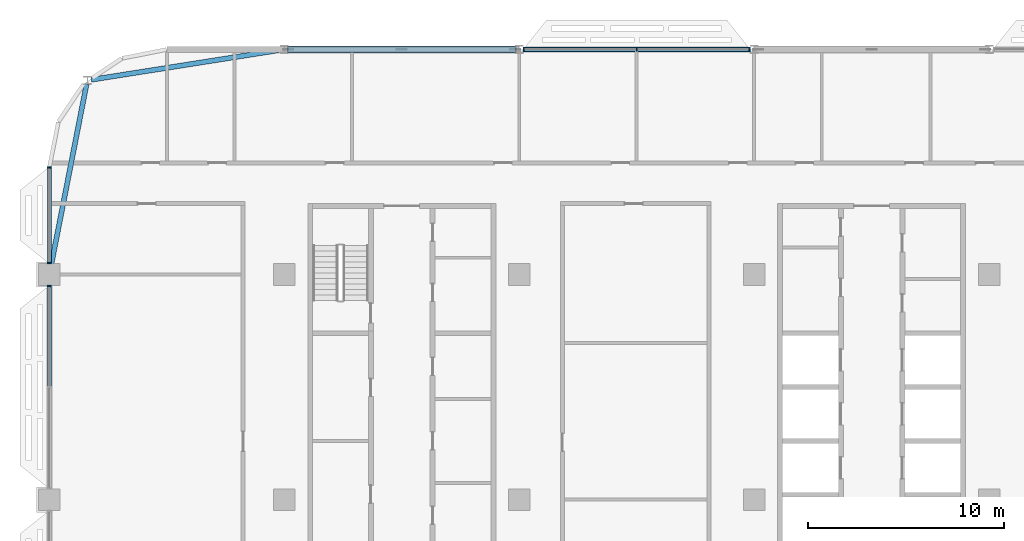
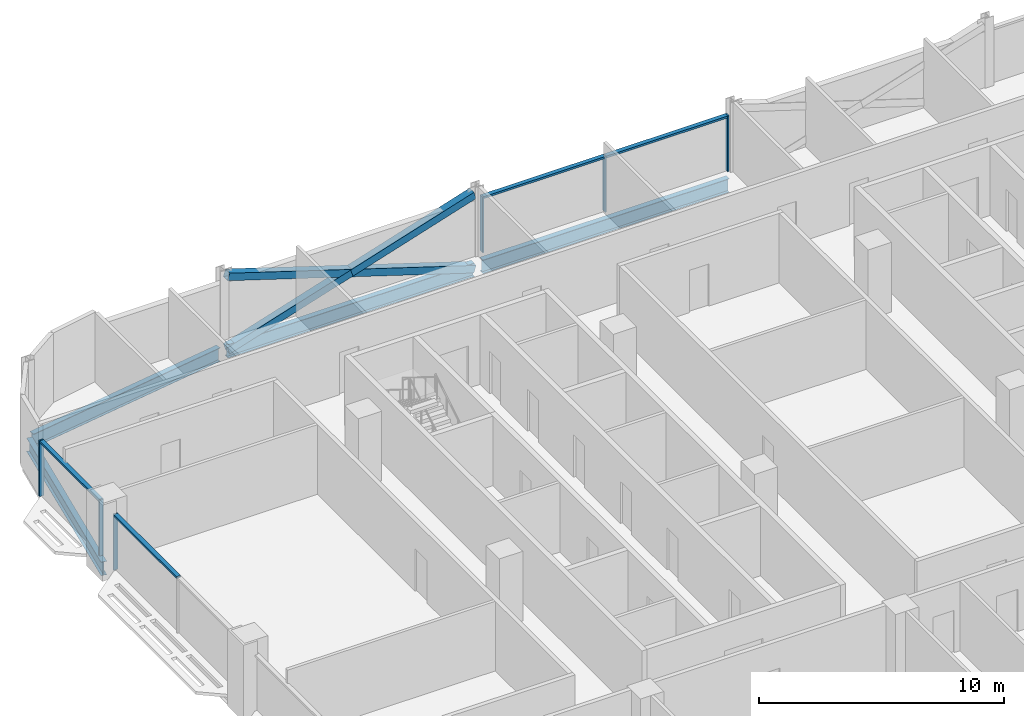
# One storey, part 7 of 30: 13 members, 4 beams, 3 elements without a shape of their own.
"""IFC4 building model written with IfcOpenShell, lengths in metres."""

from ifc_helpers import new_model, si_unit, direction, frame, origin, origin_2d, place, context, subcontext, project, spatial, rectangle, hollow_rectangle, i_section, extrude, material, material_profile, profile_set, type_object, element, aggregate, save


model = new_model("IFC4")

# Units and contexts
model_context = context("Model", 3, precision=1e-05, world=origin(), true_north=direction((0.0, 1.0)))
body_context = subcontext(model_context, "Body", "Model", "MODEL_VIEW")
ifc_project = project(units=[si_unit("LENGTHUNIT", "METRE"), si_unit("AREAUNIT", "SQUARE_METRE"), si_unit("VOLUMEUNIT", "CUBIC_METRE"), si_unit("PLANEANGLEUNIT", "RADIAN"), si_unit("MASSUNIT", "GRAM", prefix="KILO")], contexts=[model_context])

# Site, building, storey
site_placement = place(None, origin())
site = spatial("IfcSite", under=ifc_project, at=site_placement, CompositionType="ELEMENT")
building_placement = place(site_placement, origin())
building = spatial("IfcBuilding", under=site, at=building_placement, Name="Mahtab Terrace Research Tower", CompositionType="ELEMENT")
storey_placement = place(building_placement, frame((0.0, 0.0, 212.89990234375)))
storey = spatial("IfcBuildingStorey", under=building, at=storey_placement, Name="L51", CompositionType="ELEMENT", Elevation=212.89990234375)

# Members
ifc_material_1 = material(Name="Steel ASTM A500 Gr C", Category="steel")
ifc_material_profile_1 = material_profile(ifc_material_1, hollow_rectangle(XDim=0.355712890625, YDim=0.355712890625, WallThickness=0.015869140625, at=origin_2d()), Name="HSS14X14X5/8")
ifc_profile_set_1 = profile_set([ifc_material_profile_1], Name="Steel ASTM A500 Gr C")
member_type_1 = type_object("IfcMemberType", Name="HSS 14x14x5/8 brace XB141458", PredefinedType="BRACE", material=ifc_profile_set_1)
member_1_placement = place(storey_placement, frame((-18.20068359375, 23.0, -0.615478515625), z_axis=(-0.953343380425, 0.0, 0.301888057067), x_axis=(0.0, -1.0, 0.0)))
element("IfcMember", 1, at=member_1_placement, inside=storey, type_object=member_type_1, Name="Exoskeleton brace L51 07 a", PredefinedType="BRACE", context=body_context, shape_type="SweptSolid", body=[
    extrude(hollow_rectangle(XDim=0.355712890625, YDim=0.355712890625, WallThickness=0.015869140625, at=origin_2d()), origin(), (0.0, 0.0, 1.0), 12.166259765625),
])
for number, where, z_axis, x_axis, name in (
    (2, (-29.79931640625, 23.0, -0.615478515625), (0.953343380425, 0.0, 0.301888057067), (0.0, 1.0, 0.0), "Exoskeleton brace L51 07 b1"),
    (3, (-24.0, 23.0, 1.220947265625), (0.953343380425, 0.0, 0.301888057067), (0.0, 1.0, 0.0), "Exoskeleton brace L51 07 b2"),
):
    element("IfcMember", number, at=place(storey_placement, frame(where, z_axis=z_axis, x_axis=x_axis)), inside=storey, type_object=member_type_1, Name=name, PredefinedType="BRACE", context=body_context, shape_type="SweptSolid", body=[
        extrude(hollow_rectangle(XDim=0.355712890625, YDim=0.355712890625, WallThickness=0.015869140625, at=origin_2d()), origin(), (0.0, 0.0, 1.0), 6.083251953125),
    ])

# Curtain wall, members
ifc_material_2 = material(Name="Laboratory ribbon curtain wall")
curtain_wall_type = type_object("IfcCurtainWallType", Name="Laboratory ribbon curtain wall", PredefinedType="NOTDEFINED", material=ifc_material_2)
curtain_wall_1_placement = place(storey_placement, origin())
curtain_wall_1 = element("IfcCurtainWall", 4, at=curtain_wall_1_placement, inside=storey, type_object=curtain_wall_type, Name="EN.L51.3.8", PredefinedType="NOTDEFINED")
ifc_material_3 = material(Name="Natural anodised aluminium", Category="aluminium")
ifc_material_profile_2 = material_profile(ifc_material_3, rectangle(XDim=0.199951171875, YDim=0.06494140625, at=origin_2d()), Name="MULLION 65x200")
ifc_profile_set_2 = profile_set([ifc_material_profile_2], Name="Natural anodised aluminium")
member_type_2 = type_object("IfcMemberType", Name="Laboratory ribbon curtain wall mullion", PredefinedType="MULLION", material=ifc_profile_set_2)
member_2_placement = place(storey_placement, frame((-6.232421875, 23.0, 0.0), z_axis=(0.0, 0.0, 1.0), x_axis=(0.0, -1.0, 0.0)))
member_2 = element("IfcMember", 5, at=member_2_placement, type_object=member_type_2, Name="CWL-6 mullion 1", PredefinedType="MULLION", context=body_context, shape_type="SweptSolid", body=[
    extrude(rectangle(XDim=0.199951171875, YDim=0.06494140625, at=origin_2d()), origin(), (0.0, 0.0, 1.0), 2.781982421875),
])
member_3_placement = place(storey_placement, frame((-12.0, 23.0, 0.0), z_axis=(0.0, 0.0, 1.0), x_axis=(0.0, -1.0, 0.0)))
member_3 = element("IfcMember", 6, at=member_3_placement, type_object=member_type_2, Name="CWL-6 mullion 2", PredefinedType="MULLION", context=body_context, shape_type="SweptSolid", body=[
    extrude(rectangle(XDim=0.199951171875, YDim=0.06494140625, at=origin_2d()), origin(), (0.0, 0.0, 1.0), 2.781982421875),
])
member_4_placement = place(storey_placement, frame((-17.767578125, 23.0, 0.0), z_axis=(0.0, 0.0, 1.0), x_axis=(0.0, -1.0, 0.0)))
member_4 = element("IfcMember", 7, at=member_4_placement, type_object=member_type_2, Name="CWL-6 mullion 3", PredefinedType="MULLION", context=body_context, shape_type="SweptSolid", body=[
    extrude(rectangle(XDim=0.199951171875, YDim=0.06494140625, at=origin_2d()), origin(), (0.0, 0.0, 1.0), 2.781982421875),
])

curtain_wall_2_placement = place(storey_placement, origin())
curtain_wall_2 = element("IfcCurtainWall", 8, at=curtain_wall_2_placement, inside=storey, type_object=curtain_wall_type, Name="EN.L51.8.15", PredefinedType="NOTDEFINED")
member_5_placement = place(storey_placement, frame((-42.0, 16.967529296875, 0.0), z_axis=(0.0, 0.0, 1.0), x_axis=(1.0, 0.0, 0.0)))
member_5 = element("IfcMember", 9, at=member_5_placement, type_object=member_type_2, Name="CWL-6 mullion 1", PredefinedType="MULLION", context=body_context, shape_type="SweptSolid", body=[
    extrude(rectangle(XDim=0.199951171875, YDim=0.06494140625, at=origin_2d()), origin(), (0.0, 0.0, 1.0), 2.781982421875),
])
member_6_placement = place(storey_placement, frame((-42.0, 12.08251953125, 0.0), z_axis=(0.0, 0.0, 1.0), x_axis=(1.0, 0.0, 0.0)))
member_6 = element("IfcMember", 10, at=member_6_placement, type_object=member_type_2, Name="CWL-6 mullion 2", PredefinedType="MULLION", context=body_context, shape_type="SweptSolid", body=[
    extrude(rectangle(XDim=0.199951171875, YDim=0.06494140625, at=origin_2d()), origin(), (0.0, 0.0, 1.0), 2.781982421875),
])

# Curtain wall, member
curtain_wall_3_placement = place(storey_placement, origin())
curtain_wall_3 = element("IfcCurtainWall", 11, at=curtain_wall_3_placement, inside=storey, type_object=curtain_wall_type, Name="EN.L51.8.16", PredefinedType="NOTDEFINED")
member_7_placement = place(storey_placement, frame((-42.0, 10.91748046875, 0.0), z_axis=(0.0, 0.0, 1.0), x_axis=(1.0, 0.0, 0.0)))
member_7 = element("IfcMember", 12, at=member_7_placement, type_object=member_type_2, Name="CWL-6 mullion 1", PredefinedType="MULLION", context=body_context, shape_type="SweptSolid", body=[
    extrude(rectangle(XDim=0.199951171875, YDim=0.06494140625, at=origin_2d()), origin(), (0.0, 0.0, 1.0), 2.781982421875),
])

# Member
ifc_material_profile_3 = material_profile(ifc_material_3, rectangle(XDim=0.199951171875, YDim=0.10009765625, at=origin_2d()), Name="TRANSOM 100x200")
ifc_profile_set_3 = profile_set([ifc_material_profile_3], Name="Natural anodised aluminium")
member_type_3 = type_object("IfcMemberType", Name="Laboratory ribbon curtain wall transom", PredefinedType="USERDEFINED", material=ifc_profile_set_3)
member_8_placement = place(storey_placement, frame((-6.264892578125, 23.0, 2.73193359375), z_axis=(-1.0, 0.0, 0.0), x_axis=(0.0, -1.0, 0.0)))
member_8 = element("IfcMember", 13, at=member_8_placement, type_object=member_type_3, Name="CWL-6 transom 1", ObjectType="TRANSOM", PredefinedType="USERDEFINED", context=body_context, shape_type="SweptSolid", body=[
    extrude(rectangle(XDim=0.199951171875, YDim=0.10009765625, at=origin_2d()), origin(), (0.0, 0.0, 1.0), 5.70263671875),
])

member_9_placement = place(storey_placement, frame((-12.032470703125, 23.0, 2.73193359375), z_axis=(-1.0, 0.0, 0.0), x_axis=(0.0, -1.0, 0.0)))
member_9 = element("IfcMember", 14, at=member_9_placement, type_object=member_type_3, Name="CWL-6 transom 2", ObjectType="TRANSOM", PredefinedType="USERDEFINED", context=body_context, shape_type="SweptSolid", body=[
    extrude(rectangle(XDim=0.199951171875, YDim=0.10009765625, at=origin_2d()), origin(), (0.0, 0.0, 1.0), 5.70263671875),
])

aggregate(curtain_wall_1, [member_2, member_3, member_4, member_8, member_9])

member_10_placement = place(storey_placement, frame((-42.0, 16.93505859375, 2.73193359375), z_axis=(0.0, -1.0, 0.0), x_axis=(1.0, 0.0, 0.0)))
member_10 = element("IfcMember", 15, at=member_10_placement, type_object=member_type_3, Name="CWL-6 transom 1", ObjectType="TRANSOM", PredefinedType="USERDEFINED", context=body_context, shape_type="SweptSolid", body=[
    extrude(rectangle(XDim=0.199951171875, YDim=0.10009765625, at=origin_2d()), origin(), (0.0, 0.0, 1.0), 4.820068359375),
])

aggregate(curtain_wall_2, [member_5, member_6, member_10])

member_11_placement = place(storey_placement, frame((-42.0, 10.885009765625, 2.73193359375), z_axis=(0.0, -1.0, 0.0), x_axis=(1.0, 0.0, 0.0)))
member_11 = element("IfcMember", 16, at=member_11_placement, type_object=member_type_3, Name="CWL-6 transom 1", ObjectType="TRANSOM", PredefinedType="USERDEFINED", context=body_context, shape_type="SweptSolid", body=[
    extrude(rectangle(XDim=0.199951171875, YDim=0.10009765625, at=origin_2d()), origin(), (0.0, 0.0, 1.0), 5.1025390625),
])

aggregate(curtain_wall_3, [member_7, member_11])

# Beams
ifc_material_4 = material(Name="Steel ASTM A992 Gr 50", Category="steel")
ifc_material_profile_4 = material_profile(ifc_material_4, i_section(OverallWidth=0.25390625, OverallDepth=0.67822265625, WebThickness=0.01171875, FlangeThickness=0.016357421875, at=origin_2d()), Name="W27X84")
ifc_profile_set_4 = profile_set([ifc_material_profile_4], Name="Steel ASTM A992 Gr 50")
beam_type = type_object("IfcBeamType", Name="W27x84 beam BS2784", PredefinedType="BEAM", material=ifc_profile_set_4)
for number, where, z_axis, x_axis, name in (
    (17, (-6.20068359375, 23.0, -0.678955078125), (-1.0, 0.0, 0.0), (0.0, -1.0, 0.0), "Spandrel beam L51 06"),
    (18, (-18.20068359375, 23.0, -0.678955078125), (-1.0, 0.0, 0.0), (0.0, -1.0, 0.0), "Spandrel beam L51 07"),
):
    element("IfcBeam", number, at=place(storey_placement, frame(where, z_axis=z_axis, x_axis=x_axis)), inside=storey, type_object=beam_type, Name=name, PredefinedType="BEAM", context=body_context, shape_type="SweptSolid", body=[
        extrude(i_section(OverallWidth=0.25390625, OverallDepth=0.67822265625, WebThickness=0.01171875, FlangeThickness=0.016357421875, at=origin_2d()), origin(), (0.0, 0.0, 1.0), 11.5986328125),
    ])
beam_1_placement = place(storey_placement, frame((-30.20068359375, 22.968505859375, -0.678955078125), z_axis=(-0.987831689273, -0.155526697604, 0.0), x_axis=(0.155526697604, -0.987831689273, 0.0)))
element("IfcBeam", 19, at=beam_1_placement, inside=storey, type_object=beam_type, Name="Spandrel beam L51 08", PredefinedType="BEAM", context=body_context, shape_type="SweptSolid", body=[
    extrude(i_section(OverallWidth=0.25390625, OverallDepth=0.67822265625, WebThickness=0.01171875, FlangeThickness=0.016357421875, at=origin_2d()), origin(), (0.0, 0.0, 1.0), 9.779541015625),
])
beam_2_placement = place(storey_placement, frame((-40.10107421875, 21.216552734375, -0.678955078125), z_axis=(-0.191811291145, -0.981431825747, 0.0), x_axis=(0.981431825747, -0.191811291145, 0.0)))
element("IfcBeam", 20, at=beam_2_placement, inside=storey, type_object=beam_type, Name="Spandrel beam L51 09", PredefinedType="BEAM", context=body_context, shape_type="SweptSolid", body=[
    extrude(i_section(OverallWidth=0.25390625, OverallDepth=0.67822265625, WebThickness=0.01171875, FlangeThickness=0.016357421875, at=origin_2d()), origin(), (0.0, 0.0, 1.0), 9.33984375),
])

save(model, "model.ifc")
